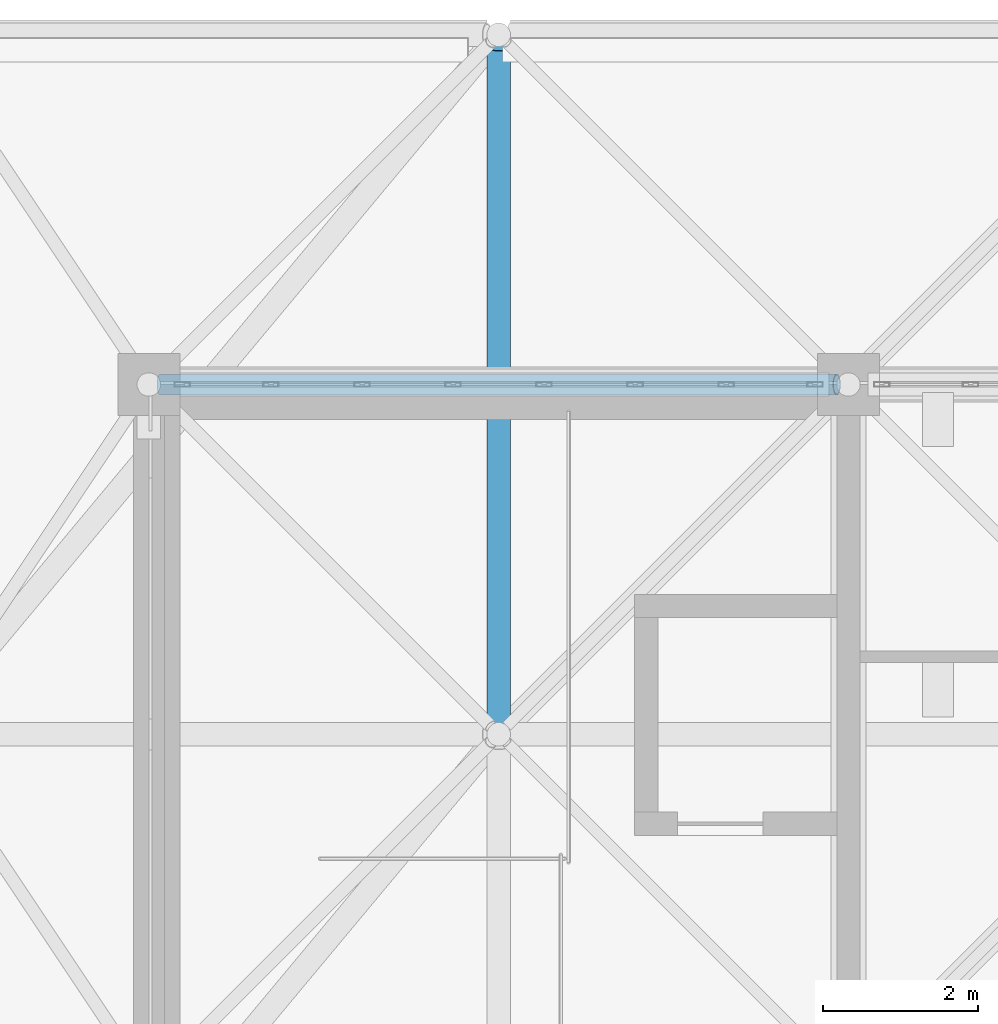
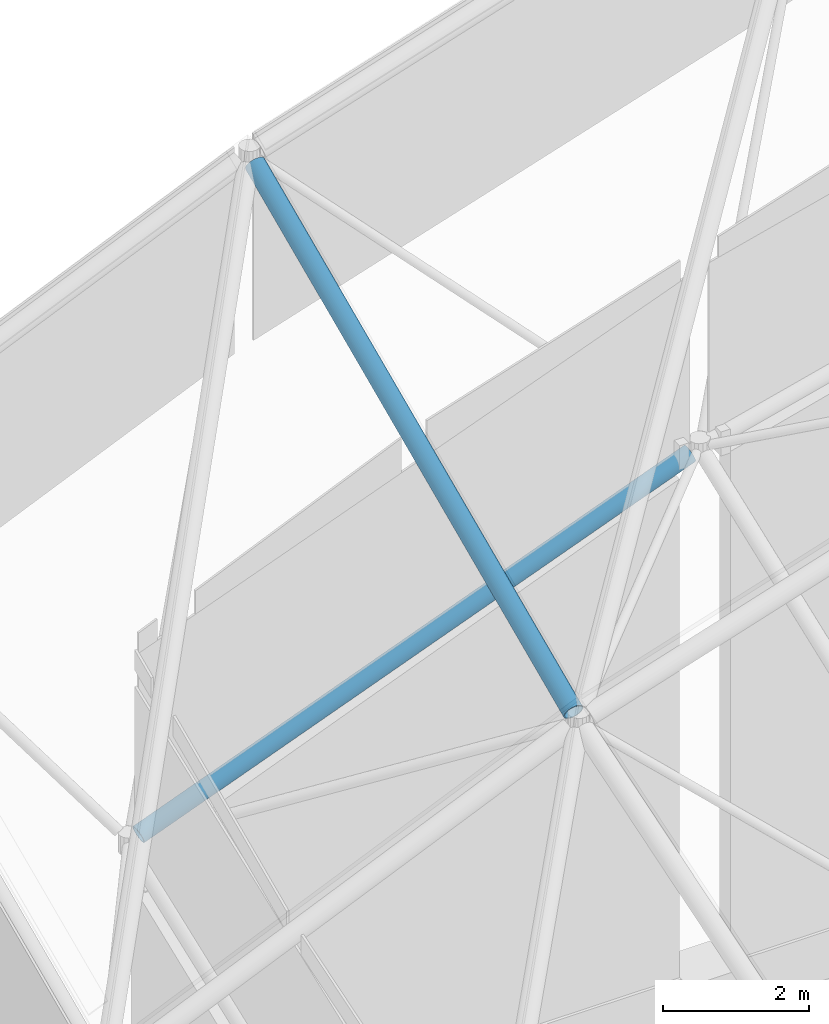
# One storey, part 104 of 437: 2 members.
"""IFC4 building model written with IfcOpenShell, lengths in metres."""

import ifcopenshell
import ifcopenshell.guid

model = None  # the IFC model being written
_history = None  # IfcOwnerHistory: only IFC2X3 demands one
_inside = {}  # id of a spatial element -> (the spatial element, [elements in it])
_under = {}  # id of a project, library or spatial element -> (it, [spatial elements below it])
_declared = {}  # id of a project -> (the project, [libraries it declares])
_typed = {}  # id of a type object -> (the type object, [elements of that type])
_made_of = {}  # id of a material, layer set ... -> (it, [elements and type objects made of it])


def new_model(schema):
    """Start an empty IFC model of exactly this schema.

    Asked for "IFC4X3", IfcOpenShell would pick the latest addendum, in which some entities
    have other attributes; the version numbers below select the first issue.
    IFC2X3 requires an IfcOwnerHistory on every rooted entity: one is made here for all.
    """
    global model, _history
    if schema == "IFC4X3":
        model = ifcopenshell.file(schema_version=(4, 3, 0, 0))
    else:
        model = ifcopenshell.file(schema=schema)
    _inside.clear()
    _under.clear()
    _declared.clear()
    _typed.clear()
    _made_of.clear()
    _history = None
    if model.schema == "IFC2X3":
        org = make("IfcOrganization", Name="unknown")
        user = make(
            "IfcPersonAndOrganization",
            ThePerson=make("IfcPerson", FamilyName="unknown"),
            TheOrganization=org,
        )
        app = make(
            "IfcApplication",
            ApplicationDeveloper=org,
            Version="unknown",
            ApplicationFullName="unknown",
            ApplicationIdentifier="unknown",
        )
        _history = make(
            "IfcOwnerHistory",
            OwningUser=user,
            OwningApplication=app,
            ChangeAction="ADDED",
            CreationDate=0,
        )
    return model


def make(cls, **values):
    """One entity of the class cls with the attributes given. An attribute that is None is left unset."""
    return model.create_entity(
        cls, **{name: value for name, value in values.items() if value is not None}
    )


def rooted(cls, **values):
    """An entity with a GlobalId (a new one), such as an element, a storey or a relation."""
    return make(cls, GlobalId=ifcopenshell.guid.new(), OwnerHistory=_history, **values)


def si_unit(unit_type, name, prefix=None):
    """IfcSIUnit, for example si_unit("LENGTHUNIT", "METRE", prefix="MILLI")."""
    return make("IfcSIUnit", UnitType=unit_type, Prefix=prefix, Name=name)


def assignment(units):
    """IfcUnitAssignment: the units of a project."""
    return None if units is None else make("IfcUnitAssignment", Units=units)


def point(xyz):
    """IfcCartesianPoint."""
    return None if xyz is None else make("IfcCartesianPoint", Coordinates=xyz)


def direction(xyz):
    """IfcDirection."""
    return None if xyz is None else make("IfcDirection", DirectionRatios=xyz)


def frame(location, z_axis=None, x_axis=None):
    """IfcAxis2Placement3D, a coordinate frame: its origin and axes. An axis left out is left unset."""
    return make(
        "IfcAxis2Placement3D",
        Location=point(location),
        Axis=direction(z_axis),
        RefDirection=direction(x_axis),
    )


def frame_2d(location, x_axis=None):
    """IfcAxis2Placement2D, a coordinate frame in the plane: its origin and x axis."""
    return make(
        "IfcAxis2Placement2D", Location=point(location), RefDirection=direction(x_axis)
    )


def origin():
    """The frame at (0, 0, 0) with its axes left unset."""
    return frame((0.0, 0.0, 0.0))


def origin_2d():
    """The frame at (0, 0) in the plane with its x axis left unset."""
    return frame_2d((0.0, 0.0))


def place(relative_to, where):
    """IfcLocalPlacement: puts the frame where relative to a parent placement (None: the world)."""
    return make(
        "IfcLocalPlacement", PlacementRelTo=relative_to, RelativePlacement=where
    )


def context(
    kind, dimensions, precision=None, world=None, true_north=None, identifier=None
):
    """IfcGeometricRepresentationContext, for example the 3D "Model" context."""
    return make(
        "IfcGeometricRepresentationContext",
        ContextIdentifier=identifier,
        ContextType=kind,
        CoordinateSpaceDimension=dimensions,
        Precision=precision,
        WorldCoordinateSystem=world,
        TrueNorth=true_north,
    )


def subcontext(parent, identifier, kind, view, scale=None):
    """IfcGeometricRepresentationSubContext, for example "Body" below "Model"."""
    return make(
        "IfcGeometricRepresentationSubContext",
        ContextIdentifier=identifier,
        ContextType=kind,
        ParentContext=parent,
        TargetScale=scale,
        TargetView=view,
    )


def project(units=None, contexts=None):
    """IfcProject with its units and contexts."""
    return rooted(
        "IfcProject",
        Name="project",
        RepresentationContexts=contexts,
        UnitsInContext=assignment(units),
    )


def spatial(cls, under=None, at=None, **own):
    """A site, building, storey or space (cls), placed at a placement, below another one or the project."""
    s = rooted(cls, ObjectPlacement=at, **own)
    if under is not None:
        _under.setdefault(under.id(), (under, []))[1].append(s)
    return s


def profile(cls, at=None, kind="AREA", **sizes):
    """A parametric profile (cls). Its sizes go by their IFC names, for example OverallWidth=200.0."""
    return make(cls, ProfileType=kind, Position=at, **sizes)


def hollow_circle(**sizes):
    """IfcCircleHollowProfileDef."""
    return profile("IfcCircleHollowProfileDef", **sizes)


def extrude(swept, where, along, depth):
    """IfcExtrudedAreaSolid: the profile swept, set in the frame where, extruded along a direction by depth."""
    return make(
        "IfcExtrudedAreaSolid",
        SweptArea=swept,
        Position=where,
        ExtrudedDirection=direction(along),
        Depth=depth,
    )


def shape(context_of_items, identifier, shape_type, items):
    """IfcShapeRepresentation: the items that make up one representation, for example the "Body"."""
    return make(
        "IfcShapeRepresentation",
        ContextOfItems=context_of_items,
        RepresentationIdentifier=identifier,
        RepresentationType=shape_type,
        Items=items,
    )


def material(Name=None, Category=None):
    """IfcMaterial."""
    return make("IfcMaterial", Name=Name, Category=Category)


def material_profile(
    of_material, cross_section, Name=None, Category=None, Priority=None
):
    """IfcMaterialProfile: a cross section and its material."""
    return make(
        "IfcMaterialProfile",
        Name=Name,
        Material=of_material,
        Profile=cross_section,
        Priority=Priority,
        Category=Category,
    )


def profile_set(profiles, Name=None, composite=None):
    """IfcMaterialProfileSet."""
    return make(
        "IfcMaterialProfileSet",
        Name=Name,
        MaterialProfiles=profiles,
        CompositeProfile=composite,
    )


def made_of(thing, what):
    """Note that an element or type object is made of a material, layer set ...; save() writes the relation."""
    if what is not None:
        _made_of.setdefault(what.id(), (what, []))[1].append(thing)
    return thing


def type_object(cls, material=None, **own):
    """A type object (cls), such as IfcWallType, which elements share."""
    return made_of(rooted(cls, **own), material)


def element(
    cls,
    number,
    at=None,
    inside=None,
    cuts=None,
    type_object=None,
    material=None,
    context=None,
    identifier="Body",
    shape_type=None,
    held_by="IfcProductDefinitionShape",
    body=None,
    shapes=None,
    **own,
):
    """One element of the class cls, such as IfcWall. Its Tag is "e" and its number.

    at: its placement. inside: the storey or other place that contains it. cuts: it is an
    opening in that element (IfcRelVoidsElement). A single representation is given by context,
    identifier, shape_type and body (its items); several are given by shapes. held_by: the class
    of the entity that holds the representations. save() writes the other relations.
    """
    e = rooted(cls, Tag="e%d" % number, ObjectPlacement=at, **own)
    if body is not None:
        shapes = [shape(context, identifier, shape_type, body)]
    if shapes is not None:
        e.Representation = make(held_by, Representations=shapes)
    if inside is not None:
        _inside.setdefault(inside.id(), (inside, []))[1].append(e)
    if cuts is not None:
        rooted(
            "IfcRelVoidsElement", RelatingBuildingElement=cuts, RelatedOpeningElement=e
        )
    if type_object is not None:
        _typed.setdefault(type_object.id(), (type_object, []))[1].append(e)
    return made_of(e, material)


def aggregate(whole, parts):
    """IfcRelAggregates: a whole, such as a stair, and the parts it consists of."""
    return rooted("IfcRelAggregates", RelatingObject=whole, RelatedObjects=parts)


def save(model, path):
    """Write the relations noted so far, then the file.

    IfcRelAggregates (storeys below a building ...), IfcRelContainedInSpatialStructure (elements
    in a storey), IfcRelDefinesByType, IfcRelAssociatesMaterial and IfcRelDeclares: one each for
    every whole, place, type object, material and project.
    """
    for whole, parts in _under.values():
        aggregate(whole, parts)
    for where, things in _inside.values():
        rooted(
            "IfcRelContainedInSpatialStructure",
            RelatedElements=things,
            RelatingStructure=where,
        )
    for kind, things in _typed.values():
        rooted("IfcRelDefinesByType", RelatedObjects=things, RelatingType=kind)
    for what, things in _made_of.values():
        rooted("IfcRelAssociatesMaterial", RelatedObjects=things, RelatingMaterial=what)
    for by, libraries in _declared.values():
        rooted("IfcRelDeclares", RelatingContext=by, RelatedDefinitions=libraries)
    model.write(path)


model = new_model("IFC4")

# Units and contexts
model_context = context("Model", 3, precision=1e-05, world=origin(), true_north=direction((0.0, 1.0)))
body_context = subcontext(model_context, "Body", "Model", "MODEL_VIEW")
ifc_project = project(units=[si_unit("LENGTHUNIT", "METRE"), si_unit("AREAUNIT", "SQUARE_METRE"), si_unit("VOLUMEUNIT", "CUBIC_METRE"), si_unit("PLANEANGLEUNIT", "RADIAN"), si_unit("MASSUNIT", "GRAM", prefix="KILO")], contexts=[model_context])

# Site, building, storey
site_placement = place(None, origin())
site = spatial("IfcSite", under=ifc_project, at=site_placement, CompositionType="ELEMENT")
building_placement = place(site_placement, origin())
building = spatial("IfcBuilding", under=site, at=building_placement, Name="Opaline Strait Convention Centre", CompositionType="ELEMENT")
storey_placement = place(building_placement, frame((0.0, 0.0, 11.5)))
storey = spatial("IfcBuildingStorey", under=building, at=storey_placement, Name="L02", CompositionType="ELEMENT", Elevation=11.5)

# Members
ifc_material = material(Name="Steel Q355B", Category="steel")
ifc_material_profile_1 = material_profile(ifc_material, hollow_circle(Radius=0.136474609375, WallThickness=0.011962890625, at=origin_2d()), Name="CHS 273x12")
ifc_profile_set_1 = profile_set([ifc_material_profile_1], Name="Steel Q355B")
member_type_1 = type_object("IfcMemberType", Name="Shell truss bottom chord CHS 273x12", PredefinedType="CHORD", material=ifc_profile_set_1)
member_1_placement = place(storey_placement, frame((9.14990234375, 180.0, 10.752197265625), z_axis=(0.934493135261, 0.0, 0.355981151397), x_axis=(0.0, 1.0, 0.0)))
element("IfcMember", 1, at=member_1_placement, inside=storey, type_object=member_type_1, Name="PBC1 bottom chord X1-8", PredefinedType="CHORD", context=body_context, shape_type="SweptSolid", body=[
    extrude(hollow_circle(Radius=0.136474609375, WallThickness=0.011962890625, at=origin_2d()), origin(), (0.0, 0.0, 1.0), 9.31005859375),
])
ifc_material_profile_2 = material_profile(ifc_material, hollow_circle(Radius=0.1494140625, WallThickness=0.01611328125, at=origin_2d()), Name="CHS 299x16")
ifc_profile_set_2 = profile_set([ifc_material_profile_2], Name="Steel Q355B")
member_type_2 = type_object("IfcMemberType", Name="Shell truss top chord CHS 299x16", PredefinedType="CHORD", material=ifc_profile_set_2)
member_2_placement = place(storey_placement, frame((13.5, 175.64990234375, 13.91162109375), z_axis=(0.0, 0.913813663494, 0.406133707555), x_axis=(-1.0, 0.0, 0.0)))
element("IfcMember", 2, at=member_2_placement, inside=storey, type_object=member_type_2, Name="PTC1 top chord Y2-8", PredefinedType="CHORD", context=body_context, shape_type="SweptSolid", body=[
    extrude(hollow_circle(Radius=0.1494140625, WallThickness=0.01611328125, at=origin_2d()), origin(), (0.0, 0.0, 1.0), 9.520751953125),
])

save(model, "model.ifc")
